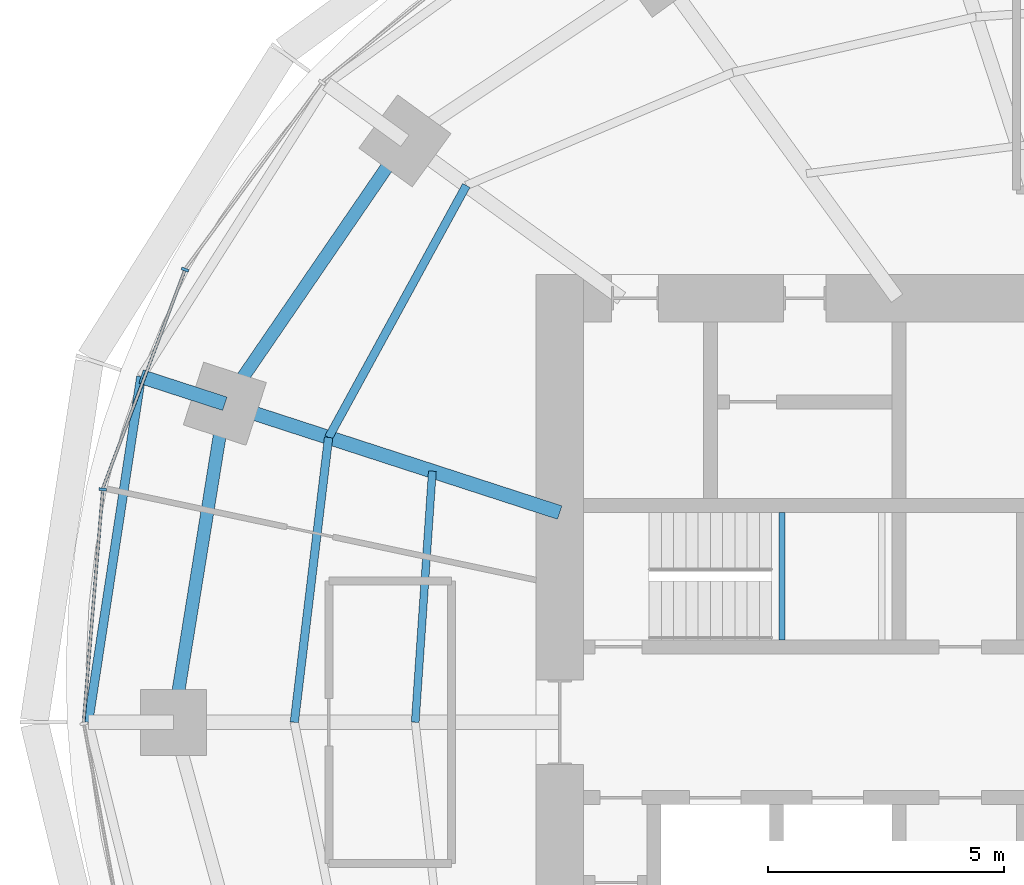
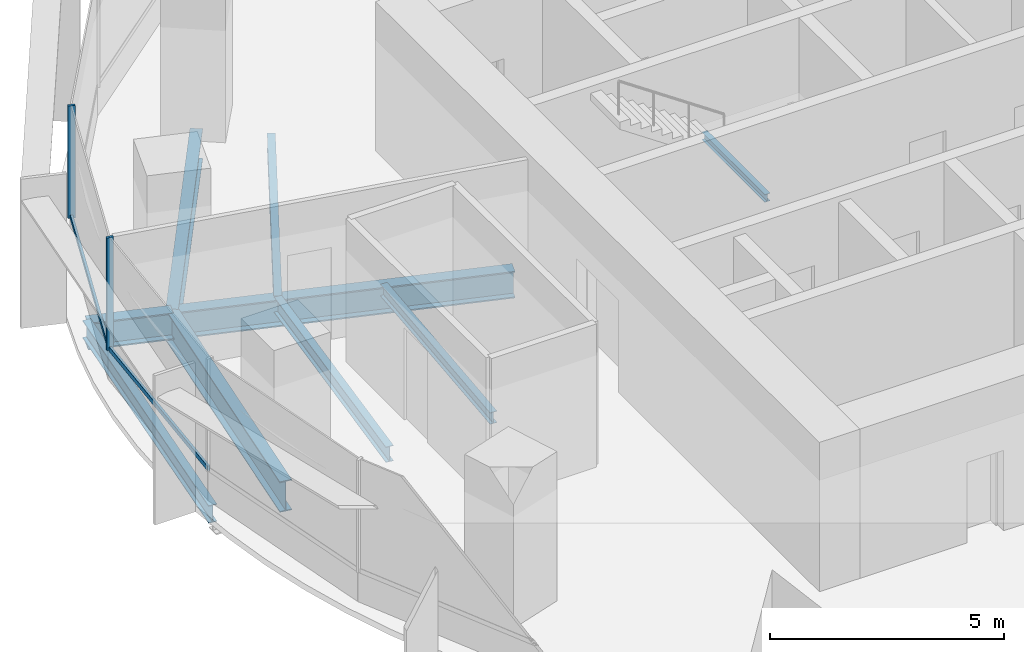
# One storey, part 4 of 14: 9 beams, 4 members, 1 element without a shape of its own.
"""IFC4 building model written with IfcOpenShell, lengths in metres."""

import ifcopenshell
import ifcopenshell.guid

model = None  # the IFC model being written
_history = None  # IfcOwnerHistory: only IFC2X3 demands one
_inside = {}  # id of a spatial element -> (the spatial element, [elements in it])
_under = {}  # id of a project, library or spatial element -> (it, [spatial elements below it])
_declared = {}  # id of a project -> (the project, [libraries it declares])
_typed = {}  # id of a type object -> (the type object, [elements of that type])
_made_of = {}  # id of a material, layer set ... -> (it, [elements and type objects made of it])


def new_model(schema):
    """Start an empty IFC model of exactly this schema.

    Asked for "IFC4X3", IfcOpenShell would pick the latest addendum, in which some entities
    have other attributes; the version numbers below select the first issue.
    IFC2X3 requires an IfcOwnerHistory on every rooted entity: one is made here for all.
    """
    global model, _history
    if schema == "IFC4X3":
        model = ifcopenshell.file(schema_version=(4, 3, 0, 0))
    else:
        model = ifcopenshell.file(schema=schema)
    _inside.clear()
    _under.clear()
    _declared.clear()
    _typed.clear()
    _made_of.clear()
    _history = None
    if model.schema == "IFC2X3":
        org = make("IfcOrganization", Name="unknown")
        user = make(
            "IfcPersonAndOrganization",
            ThePerson=make("IfcPerson", FamilyName="unknown"),
            TheOrganization=org,
        )
        app = make(
            "IfcApplication",
            ApplicationDeveloper=org,
            Version="unknown",
            ApplicationFullName="unknown",
            ApplicationIdentifier="unknown",
        )
        _history = make(
            "IfcOwnerHistory",
            OwningUser=user,
            OwningApplication=app,
            ChangeAction="ADDED",
            CreationDate=0,
        )
    return model


def make(cls, **values):
    """One entity of the class cls with the attributes given. An attribute that is None is left unset."""
    return model.create_entity(
        cls, **{name: value for name, value in values.items() if value is not None}
    )


def rooted(cls, **values):
    """An entity with a GlobalId (a new one), such as an element, a storey or a relation."""
    return make(cls, GlobalId=ifcopenshell.guid.new(), OwnerHistory=_history, **values)


def si_unit(unit_type, name, prefix=None):
    """IfcSIUnit, for example si_unit("LENGTHUNIT", "METRE", prefix="MILLI")."""
    return make("IfcSIUnit", UnitType=unit_type, Prefix=prefix, Name=name)


def assignment(units):
    """IfcUnitAssignment: the units of a project."""
    return None if units is None else make("IfcUnitAssignment", Units=units)


def point(xyz):
    """IfcCartesianPoint."""
    return None if xyz is None else make("IfcCartesianPoint", Coordinates=xyz)


def direction(xyz):
    """IfcDirection."""
    return None if xyz is None else make("IfcDirection", DirectionRatios=xyz)


def frame(location, z_axis=None, x_axis=None):
    """IfcAxis2Placement3D, a coordinate frame: its origin and axes. An axis left out is left unset."""
    return make(
        "IfcAxis2Placement3D",
        Location=point(location),
        Axis=direction(z_axis),
        RefDirection=direction(x_axis),
    )


def frame_2d(location, x_axis=None):
    """IfcAxis2Placement2D, a coordinate frame in the plane: its origin and x axis."""
    return make(
        "IfcAxis2Placement2D", Location=point(location), RefDirection=direction(x_axis)
    )


def origin():
    """The frame at (0, 0, 0) with its axes left unset."""
    return frame((0.0, 0.0, 0.0))


def origin_2d():
    """The frame at (0, 0) in the plane with its x axis left unset."""
    return frame_2d((0.0, 0.0))


def place(relative_to, where):
    """IfcLocalPlacement: puts the frame where relative to a parent placement (None: the world)."""
    return make(
        "IfcLocalPlacement", PlacementRelTo=relative_to, RelativePlacement=where
    )


def context(
    kind, dimensions, precision=None, world=None, true_north=None, identifier=None
):
    """IfcGeometricRepresentationContext, for example the 3D "Model" context."""
    return make(
        "IfcGeometricRepresentationContext",
        ContextIdentifier=identifier,
        ContextType=kind,
        CoordinateSpaceDimension=dimensions,
        Precision=precision,
        WorldCoordinateSystem=world,
        TrueNorth=true_north,
    )


def subcontext(parent, identifier, kind, view, scale=None):
    """IfcGeometricRepresentationSubContext, for example "Body" below "Model"."""
    return make(
        "IfcGeometricRepresentationSubContext",
        ContextIdentifier=identifier,
        ContextType=kind,
        ParentContext=parent,
        TargetScale=scale,
        TargetView=view,
    )


def project(units=None, contexts=None):
    """IfcProject with its units and contexts."""
    return rooted(
        "IfcProject",
        Name="project",
        RepresentationContexts=contexts,
        UnitsInContext=assignment(units),
    )


def spatial(cls, under=None, at=None, **own):
    """A site, building, storey or space (cls), placed at a placement, below another one or the project."""
    s = rooted(cls, ObjectPlacement=at, **own)
    if under is not None:
        _under.setdefault(under.id(), (under, []))[1].append(s)
    return s


def profile(cls, at=None, kind="AREA", **sizes):
    """A parametric profile (cls). Its sizes go by their IFC names, for example OverallWidth=200.0."""
    return make(cls, ProfileType=kind, Position=at, **sizes)


def rectangle(**sizes):
    """IfcRectangleProfileDef."""
    return profile("IfcRectangleProfileDef", **sizes)


def i_section(**sizes):
    """IfcIShapeProfileDef."""
    return profile("IfcIShapeProfileDef", **sizes)


def extrude(swept, where, along, depth):
    """IfcExtrudedAreaSolid: the profile swept, set in the frame where, extruded along a direction by depth."""
    return make(
        "IfcExtrudedAreaSolid",
        SweptArea=swept,
        Position=where,
        ExtrudedDirection=direction(along),
        Depth=depth,
    )


def shape(context_of_items, identifier, shape_type, items):
    """IfcShapeRepresentation: the items that make up one representation, for example the "Body"."""
    return make(
        "IfcShapeRepresentation",
        ContextOfItems=context_of_items,
        RepresentationIdentifier=identifier,
        RepresentationType=shape_type,
        Items=items,
    )


def material(Name=None, Category=None):
    """IfcMaterial."""
    return make("IfcMaterial", Name=Name, Category=Category)


def material_profile(
    of_material, cross_section, Name=None, Category=None, Priority=None
):
    """IfcMaterialProfile: a cross section and its material."""
    return make(
        "IfcMaterialProfile",
        Name=Name,
        Material=of_material,
        Profile=cross_section,
        Priority=Priority,
        Category=Category,
    )


def profile_set(profiles, Name=None, composite=None):
    """IfcMaterialProfileSet."""
    return make(
        "IfcMaterialProfileSet",
        Name=Name,
        MaterialProfiles=profiles,
        CompositeProfile=composite,
    )


def made_of(thing, what):
    """Note that an element or type object is made of a material, layer set ...; save() writes the relation."""
    if what is not None:
        _made_of.setdefault(what.id(), (what, []))[1].append(thing)
    return thing


def type_object(cls, material=None, **own):
    """A type object (cls), such as IfcWallType, which elements share."""
    return made_of(rooted(cls, **own), material)


def element(
    cls,
    number,
    at=None,
    inside=None,
    cuts=None,
    type_object=None,
    material=None,
    context=None,
    identifier="Body",
    shape_type=None,
    held_by="IfcProductDefinitionShape",
    body=None,
    shapes=None,
    **own,
):
    """One element of the class cls, such as IfcWall. Its Tag is "e" and its number.

    at: its placement. inside: the storey or other place that contains it. cuts: it is an
    opening in that element (IfcRelVoidsElement). A single representation is given by context,
    identifier, shape_type and body (its items); several are given by shapes. held_by: the class
    of the entity that holds the representations. save() writes the other relations.
    """
    e = rooted(cls, Tag="e%d" % number, ObjectPlacement=at, **own)
    if body is not None:
        shapes = [shape(context, identifier, shape_type, body)]
    if shapes is not None:
        e.Representation = make(held_by, Representations=shapes)
    if inside is not None:
        _inside.setdefault(inside.id(), (inside, []))[1].append(e)
    if cuts is not None:
        rooted(
            "IfcRelVoidsElement", RelatingBuildingElement=cuts, RelatedOpeningElement=e
        )
    if type_object is not None:
        _typed.setdefault(type_object.id(), (type_object, []))[1].append(e)
    return made_of(e, material)


def aggregate(whole, parts):
    """IfcRelAggregates: a whole, such as a stair, and the parts it consists of."""
    return rooted("IfcRelAggregates", RelatingObject=whole, RelatedObjects=parts)


def save(model, path):
    """Write the relations noted so far, then the file.

    IfcRelAggregates (storeys below a building ...), IfcRelContainedInSpatialStructure (elements
    in a storey), IfcRelDefinesByType, IfcRelAssociatesMaterial and IfcRelDeclares: one each for
    every whole, place, type object, material and project.
    """
    for whole, parts in _under.values():
        aggregate(whole, parts)
    for where, things in _inside.values():
        rooted(
            "IfcRelContainedInSpatialStructure",
            RelatedElements=things,
            RelatingStructure=where,
        )
    for kind, things in _typed.values():
        rooted("IfcRelDefinesByType", RelatedObjects=things, RelatingType=kind)
    for what, things in _made_of.values():
        rooted("IfcRelAssociatesMaterial", RelatedObjects=things, RelatingMaterial=what)
    for by, libraries in _declared.values():
        rooted("IfcRelDeclares", RelatingContext=by, RelatedDefinitions=libraries)
    model.write(path)


model = new_model("IFC4")

# Units and contexts
model_context = context("Model", 3, precision=1e-05, world=origin(), true_north=direction((0.0, 1.0)))
body_context = subcontext(model_context, "Body", "Model", "MODEL_VIEW")
ifc_project = project(units=[si_unit("LENGTHUNIT", "METRE"), si_unit("AREAUNIT", "SQUARE_METRE"), si_unit("VOLUMEUNIT", "CUBIC_METRE"), si_unit("PLANEANGLEUNIT", "RADIAN"), si_unit("MASSUNIT", "GRAM", prefix="KILO")], contexts=[model_context])

# Site, building, storey
site_placement = place(None, origin())
site = spatial("IfcSite", under=ifc_project, at=site_placement, CompositionType="ELEMENT")
building_placement = place(site_placement, origin())
building = spatial("IfcBuilding", under=site, at=building_placement, Name="Marramba Exchange Tower", CompositionType="ELEMENT")
storey_placement = place(building_placement, frame((0.0, 0.0, 215.0)))
storey = spatial("IfcBuildingStorey", under=building, at=storey_placement, Name="L52", CompositionType="ELEMENT", Elevation=215.0)

# Beams
ifc_material_1 = material(Name="Steel AS/NZS 3679.2 grade 300", Category="steel")
ifc_material_profile_1 = material_profile(ifc_material_1, i_section(OverallWidth=0.300048828125, OverallDepth=0.699951171875, WebThickness=0.010009765625, FlangeThickness=0.031982421875, at=origin_2d()), Name="700WB173")
ifc_profile_set_1 = profile_set([ifc_material_profile_1], Name="Steel AS/NZS 3679.2 grade 300")
beam_type_1 = type_object("IfcBeamType", Name="Cantilever girder 700WB173", PredefinedType="BEAM", material=ifc_profile_set_1)
beam_1_placement = place(storey_placement, frame((-20.808349609375, 6.760986328125, -0.510009765625), z_axis=(-0.951047511993, 0.309044705395, 0.0), x_axis=(-0.309044705395, -0.951047511993, 0.0)))
element("IfcBeam", 1, at=beam_1_placement, inside=storey, type_object=beam_type_1, Name="Cantilever girder L52 TC10", PredefinedType="BEAM", context=body_context, shape_type="SweptSolid", body=[
    extrude(i_section(OverallWidth=0.300048828125, OverallDepth=0.699951171875, WebThickness=0.010009765625, FlangeThickness=0.031982421875, at=origin_2d()), origin(), (0.0, 0.0, 1.0), 1.868408203125),
])
ifc_material_2 = material(Name="Steel AS/NZS 3679.1 grade 300", Category="steel")
ifc_material_profile_2 = material_profile(ifc_material_2, i_section(OverallWidth=0.166015625, OverallDepth=0.306884765625, WebThickness=0.006591796875, FlangeThickness=0.01171875, FilletRadius=0.011474609375, at=origin_2d()), Name="310UB46.2")
ifc_profile_set_2 = profile_set([ifc_material_profile_2], Name="Steel AS/NZS 3679.1 grade 300")
beam_type_2 = type_object("IfcBeamType", Name="Floor joist 310UB46.2", PredefinedType="JOIST", material=ifc_profile_set_2)
beam_2_placement = place(storey_placement, frame((-16.40283203125, 5.32958984375, -0.3134765625), z_axis=(-0.068096259546, -0.99767875563, 0.0), x_axis=(0.99767875563, -0.068096259546, 0.0)))
element("IfcBeam", 2, at=beam_2_placement, inside=storey, type_object=beam_type_2, Name="Joist L52 bay 10 row 1", PredefinedType="JOIST", context=body_context, shape_type="SweptSolid", body=[
    extrude(i_section(OverallWidth=0.166015625, OverallDepth=0.306884765625, WebThickness=0.006591796875, FlangeThickness=0.01171875, FilletRadius=0.011474609375, at=origin_2d()), origin(), (0.0, 0.0, 1.0), 5.342041015625),
])
ifc_material_profile_3 = material_profile(ifc_material_2, i_section(OverallWidth=0.177978515625, OverallDepth=0.406005859375, WebThickness=0.0078125, FlangeThickness=0.0126953125, FilletRadius=0.011474609375, at=origin_2d()), Name="410UB59.7")
ifc_profile_set_3 = profile_set([ifc_material_profile_3], Name="Steel AS/NZS 3679.1 grade 300")
beam_type_3 = type_object("IfcBeamType", Name="Floor joist 410UB59.7", PredefinedType="JOIST", material=ifc_profile_set_3)
beam_3_placement = place(storey_placement, frame((-15.682373046875, 11.393798828125, -0.363037109375), z_axis=(-0.479584443791, -0.877495732909, 0.0), x_axis=(0.877495732909, -0.479584443791, 0.0)))
element("IfcBeam", 3, at=beam_3_placement, inside=storey, type_object=beam_type_3, Name="Joist L52 bay 09 row 2", PredefinedType="JOIST", context=body_context, shape_type="SweptSolid", body=[
    extrude(i_section(OverallWidth=0.177978515625, OverallDepth=0.406005859375, WebThickness=0.0078125, FlangeThickness=0.0126953125, FilletRadius=0.011474609375, at=origin_2d()), origin(), (0.0, 0.0, 1.0), 6.094970703125),
])
beam_4_placement = place(storey_placement, frame((-18.60546875, 6.04541015625, -0.363037109375), z_axis=(-0.119523078538, -0.992831422597, 0.0), x_axis=(0.992831422597, -0.119523078538, 0.0)))
element("IfcBeam", 4, at=beam_4_placement, inside=storey, type_object=beam_type_3, Name="Joist L52 bay 10 row 2", PredefinedType="JOIST", context=body_context, shape_type="SweptSolid", body=[
    extrude(i_section(OverallWidth=0.177978515625, OverallDepth=0.406005859375, WebThickness=0.0078125, FlangeThickness=0.0126953125, FilletRadius=0.011474609375, at=origin_2d()), origin(), (0.0, 0.0, 1.0), 6.089111328125),
])

# Curtain wall, members
ifc_material_3 = material(Name="Aluminium framing, bronze anodised", Category="aluminium")
curtain_wall_type = type_object("IfcCurtainWallType", Name="Office ribbon curtain wall", PredefinedType="USERDEFINED", material=ifc_material_3)
curtain_wall_placement = place(storey_placement, origin())
curtain_wall = element("IfcCurtainWall", 5, at=curtain_wall_placement, inside=storey, type_object=curtain_wall_type, Name="Curtain wall CW4 L52 F11-F15", ObjectType="RIBBON CURTAIN WALL", PredefinedType="USERDEFINED")
ifc_material_4 = material(Name="Aluminium mullion, bronze anodised", Category="aluminium")
ifc_material_profile_4 = material_profile(ifc_material_4, rectangle(XDim=0.159912109375, YDim=0.06005859375, at=origin_2d()), Name="CW4 mullion 60x160")
ifc_profile_set_4 = profile_set([ifc_material_profile_4], Name="Aluminium mullion, bronze anodised")
member_type_1 = type_object("IfcMemberType", Name="Office ribbon curtain wall mullion", PredefinedType="MULLION", material=ifc_profile_set_4)
member_1_placement = place(storey_placement, frame((-21.65283203125, 9.607666015625, 0.800048828125), z_axis=(0.0, 0.0, 1.0), x_axis=(0.936018231909, -0.351951515885, 0.0)))
member_1 = element("IfcMember", 6, at=member_1_placement, type_object=member_type_1, Name="CW4 mullion 1", PredefinedType="MULLION", context=body_context, shape_type="SweptSolid", body=[
    extrude(rectangle(XDim=0.159912109375, YDim=0.06005859375, at=origin_2d()), origin(), (0.0, 0.0, 1.0), 2.93994140625),
])
member_2_placement = place(storey_placement, frame((-23.39794921875, 4.94287109375, 0.800048828125), z_axis=(0.0, 0.0, 1.0), x_axis=(0.996609178714, -0.082280890264, 0.0)))
member_2 = element("IfcMember", 7, at=member_2_placement, type_object=member_type_1, Name="CW4 mullion 1", PredefinedType="MULLION", context=body_context, shape_type="SweptSolid", body=[
    extrude(rectangle(XDim=0.159912109375, YDim=0.06005859375, at=origin_2d()), origin(), (0.0, 0.0, 1.0), 2.93994140625),
])
ifc_material_5 = material(Name="Aluminium transom, bronze anodised", Category="aluminium")
ifc_material_profile_5 = material_profile(ifc_material_5, rectangle(XDim=0.06005859375, YDim=0.1201171875, at=origin_2d()), Name="CW4 transom 60x120")
ifc_profile_set_5 = profile_set([ifc_material_profile_5], Name="Aluminium transom, bronze anodised")
member_type_2 = type_object("IfcMemberType", Name="Office ribbon curtain wall transom", PredefinedType="USERDEFINED", material=ifc_profile_set_5)
member_3_placement = place(storey_placement, frame((-21.663330078125, 9.57958984375, 0.830078125), z_axis=(-0.351955054115, -0.936016901494, 0.0), x_axis=(0.936016901494, -0.351955054115, 0.0)))
member_3 = element("IfcMember", 8, at=member_3_placement, type_object=member_type_2, Name="CW4 sill transom", ObjectType="TRANSOM", PredefinedType="USERDEFINED", context=body_context, shape_type="SweptSolid", body=[
    extrude(rectangle(XDim=0.06005859375, YDim=0.1201171875, at=origin_2d()), origin(), (0.0, 0.0, 1.0), 4.921630859375),
])
member_4_placement = place(storey_placement, frame((-23.400390625, 4.9130859375, 0.830078125), z_axis=(-0.082258542539, -0.996611023509, 0.0), x_axis=(0.996611023509, -0.082258542539, 0.0)))
member_4 = element("IfcMember", 9, at=member_4_placement, type_object=member_type_2, Name="CW4 sill transom", ObjectType="TRANSOM", PredefinedType="USERDEFINED", context=body_context, shape_type="SweptSolid", body=[
    extrude(rectangle(XDim=0.06005859375, YDim=0.1201171875, at=origin_2d()), origin(), (0.0, 0.0, 1.0), 4.9296875),
])
aggregate(curtain_wall, [member_1, member_3, member_2, member_4])

# Beams
ifc_material_profile_6 = material_profile(ifc_material_1, i_section(OverallWidth=0.300048828125, OverallDepth=0.699951171875, WebThickness=0.010009765625, FlangeThickness=0.031982421875, at=origin_2d()), Name="700WB173")
ifc_profile_set_6 = profile_set([ifc_material_profile_6], Name="Steel AS/NZS 3679.2 grade 300")
beam_type_4 = type_object("IfcBeamType", Name="Radial girder 700WB173", PredefinedType="BEAM", material=ifc_profile_set_6)
beam_5_placement = place(storey_placement, frame((-13.699951171875, 4.451416015625, -0.510009765625), z_axis=(-0.951059990189, 0.309006302624, 0.0), x_axis=(-0.309006302624, -0.951059990189, 0.0)))
element("IfcBeam", 10, at=beam_5_placement, inside=storey, type_object=beam_type_4, Name="Radial girder L52 TC10", PredefinedType="BEAM", context=body_context, shape_type="SweptSolid", body=[
    extrude(i_section(OverallWidth=0.300048828125, OverallDepth=0.699951171875, WebThickness=0.010009765625, FlangeThickness=0.031982421875, at=origin_2d()), origin(), (0.0, 0.0, 1.0), 7.47412109375),
])
ifc_material_profile_7 = material_profile(ifc_material_1, i_section(OverallWidth=0.27490234375, OverallDepth=0.800048828125, WebThickness=0.010009765625, FlangeThickness=0.02490234375, at=origin_2d()), Name="800WB168")
ifc_profile_set_7 = profile_set([ifc_material_profile_7], Name="Steel AS/NZS 3679.2 grade 300")
beam_type_5 = type_object("IfcBeamType", Name="Ring beam 800WB168", PredefinedType="SPANDREL", material=ifc_profile_set_7)
beam_6_placement = place(storey_placement, frame((-16.98583984375, 12.3408203125, -0.56005859375), z_axis=(-0.56516002054, -0.824981303535, 0.0), x_axis=(0.824981303535, -0.56516002054, 0.0)))
element("IfcBeam", 11, at=beam_6_placement, inside=storey, type_object=beam_type_5, Name="Ring beam L52 TC09-TC10", PredefinedType="SPANDREL", context=body_context, shape_type="SweptSolid", body=[
    extrude(i_section(OverallWidth=0.27490234375, OverallDepth=0.800048828125, WebThickness=0.010009765625, FlangeThickness=0.02490234375, at=origin_2d()), origin(), (0.0, 0.0, 1.0), 6.763671875),
])
beam_7_placement = place(storey_placement, frame((-20.808349609375, 6.760986328125, -0.56005859375), z_axis=(-0.159384865399, -0.987216523708, 0.0), x_axis=(0.987216523708, -0.159384865399, 0.0)))
element("IfcBeam", 12, at=beam_7_placement, inside=storey, type_object=beam_type_5, Name="Ring beam L52 TC10-TC11", PredefinedType="SPANDREL", context=body_context, shape_type="SweptSolid", body=[
    extrude(i_section(OverallWidth=0.27490234375, OverallDepth=0.800048828125, WebThickness=0.010009765625, FlangeThickness=0.02490234375, at=origin_2d()), origin(), (0.0, 0.0, 1.0), 6.8486328125),
])
ifc_material_profile_8 = material_profile(ifc_material_2, i_section(OverallWidth=0.19091796875, OverallDepth=0.4599609375, WebThickness=0.010009765625, FlangeThickness=0.01611328125, FilletRadius=0.011474609375, at=origin_2d()), Name="460UB82.1")
ifc_profile_set_8 = profile_set([ifc_material_profile_8], Name="Steel AS/NZS 3679.1 grade 300")
beam_type_6 = type_object("IfcBeamType", Name="Slab edge beam 460UB82.1", PredefinedType="SPANDREL", material=ifc_profile_set_8)
beam_8_placement = place(storey_placement, frame((-22.585205078125, 7.33837890625, -0.389892578125), z_axis=(-0.150987012186, -0.988535746522, 0.0), x_axis=(0.988535746522, -0.150987012186, 0.0)))
element("IfcBeam", 13, at=beam_8_placement, inside=storey, type_object=beam_type_6, Name="Slab edge beam L52 TC10-TC11", PredefinedType="SPANDREL", context=body_context, shape_type="SweptSolid", body=[
    extrude(i_section(OverallWidth=0.19091796875, OverallDepth=0.4599609375, WebThickness=0.010009765625, FlangeThickness=0.01611328125, FilletRadius=0.011474609375, at=origin_2d()), origin(), (0.0, 0.0, 1.0), 7.423583984375),
])
ifc_material_profile_9 = material_profile(ifc_material_2, i_section(OverallWidth=0.133056640625, OverallDepth=0.202880859375, WebThickness=0.005859375, FlangeThickness=0.0078125, FilletRadius=0.0087890625, at=origin_2d()), Name="200UB25.4")
ifc_profile_set_9 = profile_set([ifc_material_profile_9], Name="Steel AS/NZS 3679.1 grade 300")
beam_type_7 = type_object("IfcBeamType", Name="Stair landing beam 200UB25.4", PredefinedType="BEAM", material=ifc_profile_set_9)
beam_9_placement = place(storey_placement, frame((-8.9833984375, 1.75, 1.6484375), z_axis=(0.0, 1.0, 0.0), x_axis=(-1.0, 0.0, 0.0)))
element("IfcBeam", 14, at=beam_9_placement, inside=storey, type_object=beam_type_7, Name="Stair landing beam SLB1 ST1 L52 1", PredefinedType="BEAM", context=body_context, shape_type="SweptSolid", body=[
    extrude(i_section(OverallWidth=0.133056640625, OverallDepth=0.202880859375, WebThickness=0.005859375, FlangeThickness=0.0078125, FilletRadius=0.0087890625, at=origin_2d()), origin(), (0.0, 0.0, 1.0), 2.699951171875),
])

save(model, "model.ifc")
